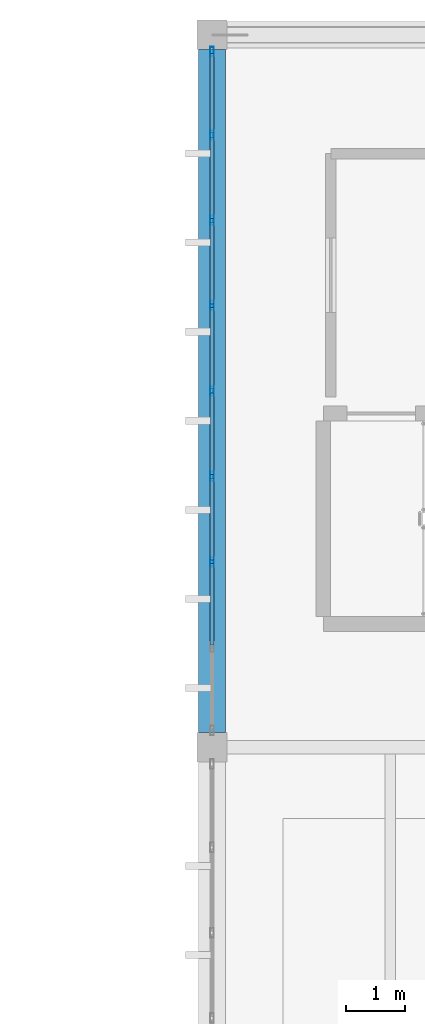
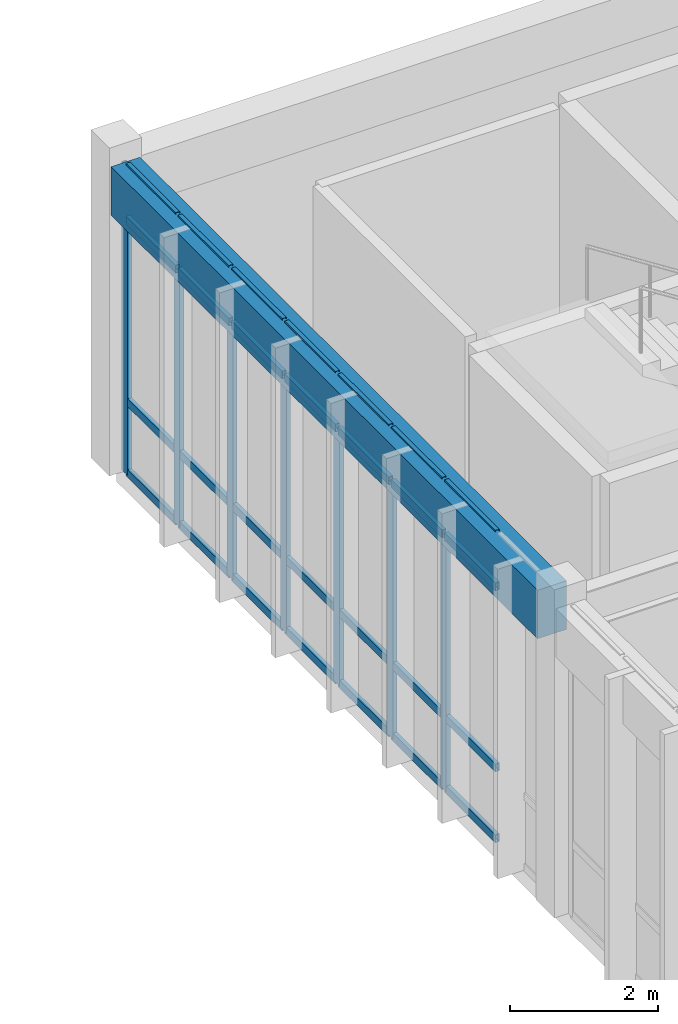
# One storey, part 75 of 188: 35 members, 1 beam, 1 element without a shape of its own.
"""IFC4 building model written with IfcOpenShell, lengths in metres."""

from ifc_helpers import new_model, si_unit, direction, frame, origin, origin_2d, place, context, subcontext, project, spatial, rectangle, hollow_rectangle, extrude, material, layer, layer_set, material_profile, profile_set, type_object, element, aggregate, save


model = new_model("IFC4")

# Units and contexts
model_context = context("Model", 3, precision=1e-05, world=origin(), true_north=direction((0.0, 1.0)))
body_context = subcontext(model_context, "Body", "Model", "MODEL_VIEW")
ifc_project = project(units=[si_unit("LENGTHUNIT", "METRE"), si_unit("AREAUNIT", "SQUARE_METRE"), si_unit("VOLUMEUNIT", "CUBIC_METRE"), si_unit("PLANEANGLEUNIT", "RADIAN"), si_unit("MASSUNIT", "GRAM", prefix="KILO")], contexts=[model_context])

# Site, building, storey
site_placement = place(None, origin())
site = spatial("IfcSite", under=ifc_project, at=site_placement, CompositionType="ELEMENT")
building_placement = place(site_placement, origin())
building = spatial("IfcBuilding", under=site, at=building_placement, Name="Pandanus Reach Market Hall", CompositionType="ELEMENT")
storey_placement = place(building_placement, origin())
storey = spatial("IfcBuildingStorey", under=building, at=storey_placement, Name="L00", CompositionType="ELEMENT", Elevation=0.0)

# Beam
ifc_material_1 = material(Name="Concrete N40 (40 MPa)", Category="concrete")
ifc_material_profile_1 = material_profile(ifc_material_1, rectangle(XDim=0.449951171875, YDim=0.800048828125, at=origin_2d()), Name="RC450x800", Category="LoadBearing")
ifc_profile_set_1 = profile_set([ifc_material_profile_1], Name="Concrete N40 (40 MPa)")
beam_type = type_object("IfcBeamType", Name="BM-RC450-E", PredefinedType="SPANDREL", material=ifc_profile_set_1)
beam_placement = place(storey_placement, frame((60.0, 108.248046875, 4.68505859375), z_axis=(0.0, 1.0, 0.0), x_axis=(-1.0, 0.0, 0.0)))
element("IfcBeam", 1, at=beam_placement, inside=storey, type_object=beam_type, Name="Framing beam BM-RC450-E L00.784", PredefinedType="SPANDREL", context=body_context, shape_type="SweptSolid", body=[
    extrude(rectangle(XDim=0.449951171875, YDim=0.800048828125, at=origin_2d()), origin(), (0.0, 0.0, 1.0), 11.50390625),
])

# Curtain wall, members
ifc_material_2 = material(Name="Bronze anodised aluminium and low-E glass", Category="aluminium")
ifc_layer = layer(ifc_material_2, 0.159912109375, Name="CW-41")
ifc_layer_set = layer_set([ifc_layer], Name="Bronze anodised aluminium and low-E glass")
curtain_wall_type = type_object("IfcCurtainWallType", Name="CW-41", PredefinedType="NOTDEFINED", material=ifc_layer_set)
curtain_wall_placement = place(storey_placement, origin())
curtain_wall = element("IfcCurtainWall", 2, at=curtain_wall_placement, inside=storey, type_object=curtain_wall_type, Name="Glazed curtain wall CW-41 CW-0150", PredefinedType="NOTDEFINED")
ifc_material_3 = material(Name="Bronze anodised aluminium", Category="aluminium")
ifc_material_profile_2 = material_profile(ifc_material_3, hollow_rectangle(XDim=0.06494140625, YDim=0.159912109375, WallThickness=0.00390625, at=origin_2d()), Name="ALU65x160", Category="LoadBearing")
ifc_profile_set_2 = profile_set([ifc_material_profile_2], Name="Bronze anodised aluminium")
member_type_1 = type_object("IfcMemberType", Name="CW-M1", PredefinedType="MULLION", material=ifc_profile_set_2)
member_1_placement = place(storey_placement, frame((60.0, 111.125, 0.0), z_axis=(0.0, 0.0, 1.0), x_axis=(-1.0, 0.0, 0.0)))
member_1 = element("IfcMember", 3, at=member_1_placement, type_object=member_type_1, Name="CW-41 mullion 3", PredefinedType="MULLION", context=body_context, shape_type="SweptSolid", body=[
    extrude(hollow_rectangle(XDim=0.06494140625, YDim=0.159912109375, WallThickness=0.00390625, at=origin_2d()), origin(), (0.0, 0.0, 1.0), 5.080078125),
])
member_2_placement = place(storey_placement, frame((60.0, 112.5625, 0.0), z_axis=(0.0, 0.0, 1.0), x_axis=(-1.0, 0.0, 0.0)))
member_2 = element("IfcMember", 4, at=member_2_placement, type_object=member_type_1, Name="CW-41 mullion 4", PredefinedType="MULLION", context=body_context, shape_type="SweptSolid", body=[
    extrude(hollow_rectangle(XDim=0.06494140625, YDim=0.159912109375, WallThickness=0.00390625, at=origin_2d()), origin(), (0.0, 0.0, 1.0), 5.080078125),
])
member_3_placement = place(storey_placement, frame((60.0, 114.0, 0.0), z_axis=(0.0, 0.0, 1.0), x_axis=(-1.0, 0.0, 0.0)))
member_3 = element("IfcMember", 5, at=member_3_placement, type_object=member_type_1, Name="CW-41 mullion 5", PredefinedType="MULLION", context=body_context, shape_type="SweptSolid", body=[
    extrude(hollow_rectangle(XDim=0.06494140625, YDim=0.159912109375, WallThickness=0.00390625, at=origin_2d()), origin(), (0.0, 0.0, 1.0), 5.080078125),
])
member_4_placement = place(storey_placement, frame((60.0, 115.4375, 0.0), z_axis=(0.0, 0.0, 1.0), x_axis=(-1.0, 0.0, 0.0)))
member_4 = element("IfcMember", 6, at=member_4_placement, type_object=member_type_1, Name="CW-41 mullion 6", PredefinedType="MULLION", context=body_context, shape_type="SweptSolid", body=[
    extrude(hollow_rectangle(XDim=0.06494140625, YDim=0.159912109375, WallThickness=0.00390625, at=origin_2d()), origin(), (0.0, 0.0, 1.0), 5.080078125),
])
member_5_placement = place(storey_placement, frame((60.0, 116.875, 0.0), z_axis=(0.0, 0.0, 1.0), x_axis=(-1.0, 0.0, 0.0)))
member_5 = element("IfcMember", 7, at=member_5_placement, type_object=member_type_1, Name="CW-41 mullion 7", PredefinedType="MULLION", context=body_context, shape_type="SweptSolid", body=[
    extrude(hollow_rectangle(XDim=0.06494140625, YDim=0.159912109375, WallThickness=0.00390625, at=origin_2d()), origin(), (0.0, 0.0, 1.0), 5.080078125),
])
member_6_placement = place(storey_placement, frame((60.0, 118.3125, 0.0), z_axis=(0.0, 0.0, 1.0), x_axis=(-1.0, 0.0, 0.0)))
member_6 = element("IfcMember", 8, at=member_6_placement, type_object=member_type_1, Name="CW-41 mullion 8", PredefinedType="MULLION", context=body_context, shape_type="SweptSolid", body=[
    extrude(hollow_rectangle(XDim=0.06494140625, YDim=0.159912109375, WallThickness=0.00390625, at=origin_2d()), origin(), (0.0, 0.0, 1.0), 5.080078125),
])
member_7_placement = place(storey_placement, frame((60.0, 119.717529296875, 0.0), z_axis=(0.0, 0.0, 1.0), x_axis=(-1.0, 0.0, 0.0)))
member_7 = element("IfcMember", 9, at=member_7_placement, type_object=member_type_1, Name="CW-41 mullion 9", PredefinedType="MULLION", context=body_context, shape_type="SweptSolid", body=[
    extrude(hollow_rectangle(XDim=0.06494140625, YDim=0.159912109375, WallThickness=0.00390625, at=origin_2d()), origin(), (0.0, 0.0, 1.0), 5.080078125),
])
ifc_material_profile_3 = material_profile(ifc_material_3, hollow_rectangle(XDim=0.06494140625, YDim=0.1298828125, WallThickness=0.00390625, at=origin_2d()), Name="ALU65x130", Category="LoadBearing")
ifc_profile_set_3 = profile_set([ifc_material_profile_3], Name="Bronze anodised aluminium")
member_type_2 = type_object("IfcMemberType", Name="CW-T1", PredefinedType="USERDEFINED", material=ifc_profile_set_3)
member_8_placement = place(storey_placement, frame((60.0, 109.719970703125, 0.032470703125), z_axis=(0.0, 1.0, 0.0), x_axis=(-1.0, 0.0, 0.0)))
member_8 = element("IfcMember", 10, at=member_8_placement, type_object=member_type_2, Name="CW-41 transom 2.1", ObjectType="TRANSOM", PredefinedType="USERDEFINED", context=body_context, shape_type="SweptSolid", body=[
    extrude(hollow_rectangle(XDim=0.06494140625, YDim=0.1298828125, WallThickness=0.00390625, at=origin_2d()), origin(), (0.0, 0.0, 1.0), 1.37255859375),
])
member_9_placement = place(storey_placement, frame((60.0, 109.719970703125, 1.199951171875), z_axis=(0.0, 1.0, 0.0), x_axis=(-1.0, 0.0, 0.0)))
member_9 = element("IfcMember", 11, at=member_9_placement, type_object=member_type_2, Name="CW-41 transom 2.2", ObjectType="TRANSOM", PredefinedType="USERDEFINED", context=body_context, shape_type="SweptSolid", body=[
    extrude(hollow_rectangle(XDim=0.06494140625, YDim=0.1298828125, WallThickness=0.00390625, at=origin_2d()), origin(), (0.0, 0.0, 1.0), 1.37255859375),
])
member_10_placement = place(storey_placement, frame((60.0, 109.719970703125, 4.179931640625), z_axis=(0.0, 1.0, 0.0), x_axis=(-1.0, 0.0, 0.0)))
member_10 = element("IfcMember", 12, at=member_10_placement, type_object=member_type_2, Name="CW-41 transom 2.3", ObjectType="TRANSOM", PredefinedType="USERDEFINED", context=body_context, shape_type="SweptSolid", body=[
    extrude(hollow_rectangle(XDim=0.06494140625, YDim=0.1298828125, WallThickness=0.00390625, at=origin_2d()), origin(), (0.0, 0.0, 1.0), 1.37255859375),
])
member_11_placement = place(storey_placement, frame((60.0, 109.719970703125, 5.047607421875), z_axis=(0.0, 1.0, 0.0), x_axis=(-1.0, 0.0, 0.0)))
member_11 = element("IfcMember", 13, at=member_11_placement, type_object=member_type_2, Name="CW-41 transom 2.4", ObjectType="TRANSOM", PredefinedType="USERDEFINED", context=body_context, shape_type="SweptSolid", body=[
    extrude(hollow_rectangle(XDim=0.06494140625, YDim=0.1298828125, WallThickness=0.00390625, at=origin_2d()), origin(), (0.0, 0.0, 1.0), 1.37255859375),
])
member_12_placement = place(storey_placement, frame((60.0, 111.157470703125, 0.032470703125), z_axis=(0.0, 1.0, 0.0), x_axis=(-1.0, 0.0, 0.0)))
member_12 = element("IfcMember", 14, at=member_12_placement, type_object=member_type_2, Name="CW-41 transom 3.1", ObjectType="TRANSOM", PredefinedType="USERDEFINED", context=body_context, shape_type="SweptSolid", body=[
    extrude(hollow_rectangle(XDim=0.06494140625, YDim=0.1298828125, WallThickness=0.00390625, at=origin_2d()), origin(), (0.0, 0.0, 1.0), 1.37255859375),
])
member_13_placement = place(storey_placement, frame((60.0, 111.157470703125, 1.199951171875), z_axis=(0.0, 1.0, 0.0), x_axis=(-1.0, 0.0, 0.0)))
member_13 = element("IfcMember", 15, at=member_13_placement, type_object=member_type_2, Name="CW-41 transom 3.2", ObjectType="TRANSOM", PredefinedType="USERDEFINED", context=body_context, shape_type="SweptSolid", body=[
    extrude(hollow_rectangle(XDim=0.06494140625, YDim=0.1298828125, WallThickness=0.00390625, at=origin_2d()), origin(), (0.0, 0.0, 1.0), 1.37255859375),
])
member_14_placement = place(storey_placement, frame((60.0, 111.157470703125, 4.179931640625), z_axis=(0.0, 1.0, 0.0), x_axis=(-1.0, 0.0, 0.0)))
member_14 = element("IfcMember", 16, at=member_14_placement, type_object=member_type_2, Name="CW-41 transom 3.3", ObjectType="TRANSOM", PredefinedType="USERDEFINED", context=body_context, shape_type="SweptSolid", body=[
    extrude(hollow_rectangle(XDim=0.06494140625, YDim=0.1298828125, WallThickness=0.00390625, at=origin_2d()), origin(), (0.0, 0.0, 1.0), 1.37255859375),
])
member_15_placement = place(storey_placement, frame((60.0, 111.157470703125, 5.047607421875), z_axis=(0.0, 1.0, 0.0), x_axis=(-1.0, 0.0, 0.0)))
member_15 = element("IfcMember", 17, at=member_15_placement, type_object=member_type_2, Name="CW-41 transom 3.4", ObjectType="TRANSOM", PredefinedType="USERDEFINED", context=body_context, shape_type="SweptSolid", body=[
    extrude(hollow_rectangle(XDim=0.06494140625, YDim=0.1298828125, WallThickness=0.00390625, at=origin_2d()), origin(), (0.0, 0.0, 1.0), 1.37255859375),
])
member_16_placement = place(storey_placement, frame((60.0, 112.594970703125, 0.032470703125), z_axis=(0.0, 1.0, 0.0), x_axis=(-1.0, 0.0, 0.0)))
member_16 = element("IfcMember", 18, at=member_16_placement, type_object=member_type_2, Name="CW-41 transom 4.1", ObjectType="TRANSOM", PredefinedType="USERDEFINED", context=body_context, shape_type="SweptSolid", body=[
    extrude(hollow_rectangle(XDim=0.06494140625, YDim=0.1298828125, WallThickness=0.00390625, at=origin_2d()), origin(), (0.0, 0.0, 1.0), 1.37255859375),
])
member_17_placement = place(storey_placement, frame((60.0, 112.594970703125, 1.199951171875), z_axis=(0.0, 1.0, 0.0), x_axis=(-1.0, 0.0, 0.0)))
member_17 = element("IfcMember", 19, at=member_17_placement, type_object=member_type_2, Name="CW-41 transom 4.2", ObjectType="TRANSOM", PredefinedType="USERDEFINED", context=body_context, shape_type="SweptSolid", body=[
    extrude(hollow_rectangle(XDim=0.06494140625, YDim=0.1298828125, WallThickness=0.00390625, at=origin_2d()), origin(), (0.0, 0.0, 1.0), 1.37255859375),
])
member_18_placement = place(storey_placement, frame((60.0, 112.594970703125, 4.179931640625), z_axis=(0.0, 1.0, 0.0), x_axis=(-1.0, 0.0, 0.0)))
member_18 = element("IfcMember", 20, at=member_18_placement, type_object=member_type_2, Name="CW-41 transom 4.3", ObjectType="TRANSOM", PredefinedType="USERDEFINED", context=body_context, shape_type="SweptSolid", body=[
    extrude(hollow_rectangle(XDim=0.06494140625, YDim=0.1298828125, WallThickness=0.00390625, at=origin_2d()), origin(), (0.0, 0.0, 1.0), 1.37255859375),
])
member_19_placement = place(storey_placement, frame((60.0, 112.594970703125, 5.047607421875), z_axis=(0.0, 1.0, 0.0), x_axis=(-1.0, 0.0, 0.0)))
member_19 = element("IfcMember", 21, at=member_19_placement, type_object=member_type_2, Name="CW-41 transom 4.4", ObjectType="TRANSOM", PredefinedType="USERDEFINED", context=body_context, shape_type="SweptSolid", body=[
    extrude(hollow_rectangle(XDim=0.06494140625, YDim=0.1298828125, WallThickness=0.00390625, at=origin_2d()), origin(), (0.0, 0.0, 1.0), 1.37255859375),
])
member_20_placement = place(storey_placement, frame((60.0, 114.032470703125, 0.032470703125), z_axis=(0.0, 1.0, 0.0), x_axis=(-1.0, 0.0, 0.0)))
member_20 = element("IfcMember", 22, at=member_20_placement, type_object=member_type_2, Name="CW-41 transom 5.1", ObjectType="TRANSOM", PredefinedType="USERDEFINED", context=body_context, shape_type="SweptSolid", body=[
    extrude(hollow_rectangle(XDim=0.06494140625, YDim=0.1298828125, WallThickness=0.00390625, at=origin_2d()), origin(), (0.0, 0.0, 1.0), 1.37255859375),
])
member_21_placement = place(storey_placement, frame((60.0, 114.032470703125, 1.199951171875), z_axis=(0.0, 1.0, 0.0), x_axis=(-1.0, 0.0, 0.0)))
member_21 = element("IfcMember", 23, at=member_21_placement, type_object=member_type_2, Name="CW-41 transom 5.2", ObjectType="TRANSOM", PredefinedType="USERDEFINED", context=body_context, shape_type="SweptSolid", body=[
    extrude(hollow_rectangle(XDim=0.06494140625, YDim=0.1298828125, WallThickness=0.00390625, at=origin_2d()), origin(), (0.0, 0.0, 1.0), 1.37255859375),
])
member_22_placement = place(storey_placement, frame((60.0, 114.032470703125, 4.179931640625), z_axis=(0.0, 1.0, 0.0), x_axis=(-1.0, 0.0, 0.0)))
member_22 = element("IfcMember", 24, at=member_22_placement, type_object=member_type_2, Name="CW-41 transom 5.3", ObjectType="TRANSOM", PredefinedType="USERDEFINED", context=body_context, shape_type="SweptSolid", body=[
    extrude(hollow_rectangle(XDim=0.06494140625, YDim=0.1298828125, WallThickness=0.00390625, at=origin_2d()), origin(), (0.0, 0.0, 1.0), 1.37255859375),
])
member_23_placement = place(storey_placement, frame((60.0, 114.032470703125, 5.047607421875), z_axis=(0.0, 1.0, 0.0), x_axis=(-1.0, 0.0, 0.0)))
member_23 = element("IfcMember", 25, at=member_23_placement, type_object=member_type_2, Name="CW-41 transom 5.4", ObjectType="TRANSOM", PredefinedType="USERDEFINED", context=body_context, shape_type="SweptSolid", body=[
    extrude(hollow_rectangle(XDim=0.06494140625, YDim=0.1298828125, WallThickness=0.00390625, at=origin_2d()), origin(), (0.0, 0.0, 1.0), 1.37255859375),
])
member_24_placement = place(storey_placement, frame((60.0, 115.469970703125, 0.032470703125), z_axis=(0.0, 1.0, 0.0), x_axis=(-1.0, 0.0, 0.0)))
member_24 = element("IfcMember", 26, at=member_24_placement, type_object=member_type_2, Name="CW-41 transom 6.1", ObjectType="TRANSOM", PredefinedType="USERDEFINED", context=body_context, shape_type="SweptSolid", body=[
    extrude(hollow_rectangle(XDim=0.06494140625, YDim=0.1298828125, WallThickness=0.00390625, at=origin_2d()), origin(), (0.0, 0.0, 1.0), 1.37255859375),
])
member_25_placement = place(storey_placement, frame((60.0, 115.469970703125, 1.199951171875), z_axis=(0.0, 1.0, 0.0), x_axis=(-1.0, 0.0, 0.0)))
member_25 = element("IfcMember", 27, at=member_25_placement, type_object=member_type_2, Name="CW-41 transom 6.2", ObjectType="TRANSOM", PredefinedType="USERDEFINED", context=body_context, shape_type="SweptSolid", body=[
    extrude(hollow_rectangle(XDim=0.06494140625, YDim=0.1298828125, WallThickness=0.00390625, at=origin_2d()), origin(), (0.0, 0.0, 1.0), 1.37255859375),
])
member_26_placement = place(storey_placement, frame((60.0, 115.469970703125, 4.179931640625), z_axis=(0.0, 1.0, 0.0), x_axis=(-1.0, 0.0, 0.0)))
member_26 = element("IfcMember", 28, at=member_26_placement, type_object=member_type_2, Name="CW-41 transom 6.3", ObjectType="TRANSOM", PredefinedType="USERDEFINED", context=body_context, shape_type="SweptSolid", body=[
    extrude(hollow_rectangle(XDim=0.06494140625, YDim=0.1298828125, WallThickness=0.00390625, at=origin_2d()), origin(), (0.0, 0.0, 1.0), 1.37255859375),
])
member_27_placement = place(storey_placement, frame((60.0, 115.469970703125, 5.047607421875), z_axis=(0.0, 1.0, 0.0), x_axis=(-1.0, 0.0, 0.0)))
member_27 = element("IfcMember", 29, at=member_27_placement, type_object=member_type_2, Name="CW-41 transom 6.4", ObjectType="TRANSOM", PredefinedType="USERDEFINED", context=body_context, shape_type="SweptSolid", body=[
    extrude(hollow_rectangle(XDim=0.06494140625, YDim=0.1298828125, WallThickness=0.00390625, at=origin_2d()), origin(), (0.0, 0.0, 1.0), 1.37255859375),
])
member_28_placement = place(storey_placement, frame((60.0, 116.907470703125, 0.032470703125), z_axis=(0.0, 1.0, 0.0), x_axis=(-1.0, 0.0, 0.0)))
member_28 = element("IfcMember", 30, at=member_28_placement, type_object=member_type_2, Name="CW-41 transom 7.1", ObjectType="TRANSOM", PredefinedType="USERDEFINED", context=body_context, shape_type="SweptSolid", body=[
    extrude(hollow_rectangle(XDim=0.06494140625, YDim=0.1298828125, WallThickness=0.00390625, at=origin_2d()), origin(), (0.0, 0.0, 1.0), 1.37255859375),
])
member_29_placement = place(storey_placement, frame((60.0, 116.907470703125, 1.199951171875), z_axis=(0.0, 1.0, 0.0), x_axis=(-1.0, 0.0, 0.0)))
member_29 = element("IfcMember", 31, at=member_29_placement, type_object=member_type_2, Name="CW-41 transom 7.2", ObjectType="TRANSOM", PredefinedType="USERDEFINED", context=body_context, shape_type="SweptSolid", body=[
    extrude(hollow_rectangle(XDim=0.06494140625, YDim=0.1298828125, WallThickness=0.00390625, at=origin_2d()), origin(), (0.0, 0.0, 1.0), 1.37255859375),
])
member_30_placement = place(storey_placement, frame((60.0, 116.907470703125, 4.179931640625), z_axis=(0.0, 1.0, 0.0), x_axis=(-1.0, 0.0, 0.0)))
member_30 = element("IfcMember", 32, at=member_30_placement, type_object=member_type_2, Name="CW-41 transom 7.3", ObjectType="TRANSOM", PredefinedType="USERDEFINED", context=body_context, shape_type="SweptSolid", body=[
    extrude(hollow_rectangle(XDim=0.06494140625, YDim=0.1298828125, WallThickness=0.00390625, at=origin_2d()), origin(), (0.0, 0.0, 1.0), 1.37255859375),
])
member_31_placement = place(storey_placement, frame((60.0, 116.907470703125, 5.047607421875), z_axis=(0.0, 1.0, 0.0), x_axis=(-1.0, 0.0, 0.0)))
member_31 = element("IfcMember", 33, at=member_31_placement, type_object=member_type_2, Name="CW-41 transom 7.4", ObjectType="TRANSOM", PredefinedType="USERDEFINED", context=body_context, shape_type="SweptSolid", body=[
    extrude(hollow_rectangle(XDim=0.06494140625, YDim=0.1298828125, WallThickness=0.00390625, at=origin_2d()), origin(), (0.0, 0.0, 1.0), 1.37255859375),
])
member_32_placement = place(storey_placement, frame((60.0, 118.344970703125, 0.032470703125), z_axis=(0.0, 1.0, 0.0), x_axis=(-1.0, 0.0, 0.0)))
member_32 = element("IfcMember", 34, at=member_32_placement, type_object=member_type_2, Name="CW-41 transom 8.1", ObjectType="TRANSOM", PredefinedType="USERDEFINED", context=body_context, shape_type="SweptSolid", body=[
    extrude(hollow_rectangle(XDim=0.06494140625, YDim=0.1298828125, WallThickness=0.00390625, at=origin_2d()), origin(), (0.0, 0.0, 1.0), 1.340087890625),
])
member_33_placement = place(storey_placement, frame((60.0, 118.344970703125, 1.199951171875), z_axis=(0.0, 1.0, 0.0), x_axis=(-1.0, 0.0, 0.0)))
member_33 = element("IfcMember", 35, at=member_33_placement, type_object=member_type_2, Name="CW-41 transom 8.2", ObjectType="TRANSOM", PredefinedType="USERDEFINED", context=body_context, shape_type="SweptSolid", body=[
    extrude(hollow_rectangle(XDim=0.06494140625, YDim=0.1298828125, WallThickness=0.00390625, at=origin_2d()), origin(), (0.0, 0.0, 1.0), 1.340087890625),
])
member_34_placement = place(storey_placement, frame((60.0, 118.344970703125, 4.179931640625), z_axis=(0.0, 1.0, 0.0), x_axis=(-1.0, 0.0, 0.0)))
member_34 = element("IfcMember", 36, at=member_34_placement, type_object=member_type_2, Name="CW-41 transom 8.3", ObjectType="TRANSOM", PredefinedType="USERDEFINED", context=body_context, shape_type="SweptSolid", body=[
    extrude(hollow_rectangle(XDim=0.06494140625, YDim=0.1298828125, WallThickness=0.00390625, at=origin_2d()), origin(), (0.0, 0.0, 1.0), 1.340087890625),
])
member_35_placement = place(storey_placement, frame((60.0, 118.344970703125, 5.047607421875), z_axis=(0.0, 1.0, 0.0), x_axis=(-1.0, 0.0, 0.0)))
member_35 = element("IfcMember", 37, at=member_35_placement, type_object=member_type_2, Name="CW-41 transom 8.4", ObjectType="TRANSOM", PredefinedType="USERDEFINED", context=body_context, shape_type="SweptSolid", body=[
    extrude(hollow_rectangle(XDim=0.06494140625, YDim=0.1298828125, WallThickness=0.00390625, at=origin_2d()), origin(), (0.0, 0.0, 1.0), 1.340087890625),
])
aggregate(curtain_wall, [member_1, member_2, member_3, member_4, member_5, member_6, member_7, member_8, member_9, member_10, member_11, member_12, member_13, member_14, member_15, member_16, member_17, member_18, member_19, member_20, member_21, member_22, member_23, member_24, member_25, member_26, member_27, member_28, member_29, member_30, member_31, member_32, member_33, member_34, member_35])

save(model, "model.ifc")
